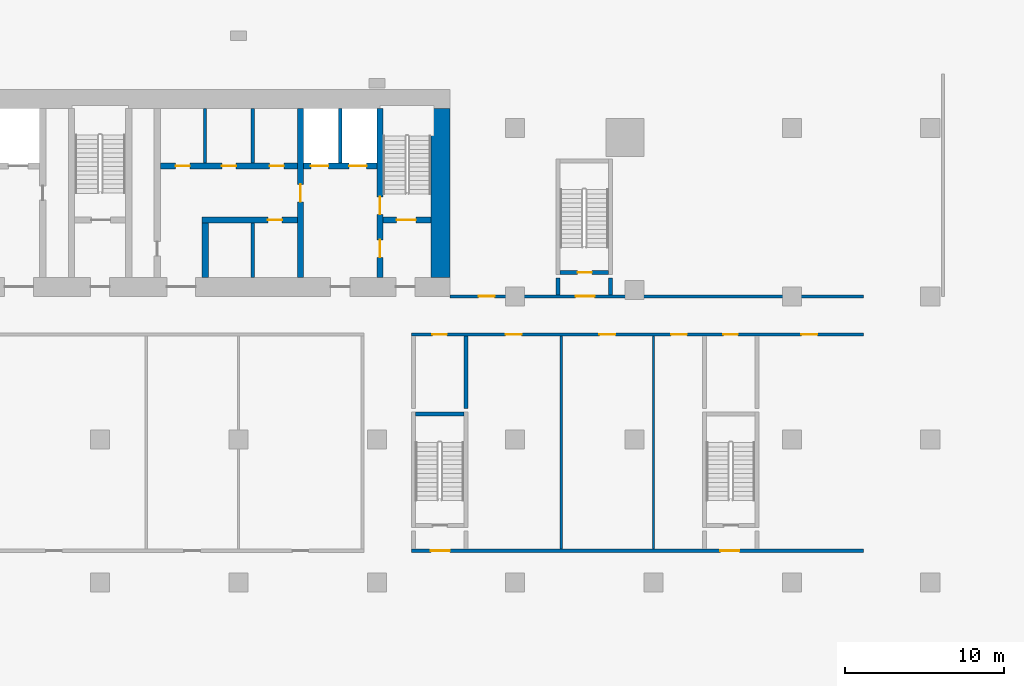
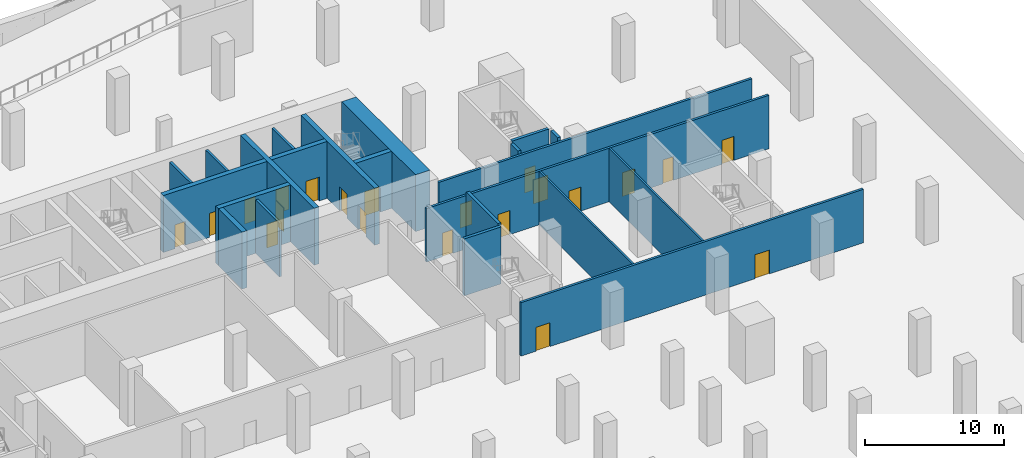
# One storey, part 4 of 8: 21 doors, 21 walls, 21 openings.
"""IFC4 building model written with IfcOpenShell, lengths in metres."""

from ifc_helpers import new_model, si_unit, direction, frame, frame_2d, origin, place, context, subcontext, project, spatial, rectangle, extrude, material, layer, layer_set, type_object, element, fill, save


model = new_model("IFC4")

# Units and contexts
model_context = context("Model", 3, precision=1e-05, world=origin(), true_north=direction((0.0, 1.0)))
body_context = subcontext(model_context, "Body", "Model", "MODEL_VIEW")
ifc_project = project(units=[si_unit("LENGTHUNIT", "METRE"), si_unit("AREAUNIT", "SQUARE_METRE"), si_unit("VOLUMEUNIT", "CUBIC_METRE"), si_unit("PLANEANGLEUNIT", "RADIAN"), si_unit("MASSUNIT", "GRAM", prefix="KILO")], contexts=[model_context])

# Site, building, storey
site_placement = place(None, origin())
site = spatial("IfcSite", under=ifc_project, at=site_placement, CompositionType="ELEMENT")
building_placement = place(site_placement, origin())
building = spatial("IfcBuilding", under=site, at=building_placement, Name="Bicima Exchange Tower", CompositionType="ELEMENT")
storey_placement = place(building_placement, frame((0.0, 0.0, -10.0)))
storey = spatial("IfcBuildingStorey", under=building, at=storey_placement, Name="B2", CompositionType="ELEMENT", Elevation=-10.0)

# Walls
ifc_material_1 = material(Name="Gypsum board partition")
ifc_layer_1 = layer(ifc_material_1, 0.199951171875)
ifc_layer_set_1 = layer_set([ifc_layer_1], Name="Gypsum board partition")
wall_type_1 = type_object("IfcWallType", Name="Fire-rated gypsum partition 200 EI120", PredefinedType="PARTITIONING", material=ifc_layer_set_1)
for number, where, z_axis, x_axis, name in (
    (1, (9.60009765625, -11.800048828125, 0.0), (0.0, 0.0, 1.0), (0.0, 1.0, 0.0), "partition wall 21"),
    (2, (15.10009765625, -4.60009765625, 0.0), (0.0, 0.0, 1.0), (0.0, 1.0, 0.0), "partition wall 24"),
):
    element("IfcWall", number, at=place(storey_placement, frame(where, z_axis=z_axis, x_axis=x_axis)), inside=storey, type_object=wall_type_1, Name=name, PredefinedType="PARTITIONING", context=body_context, shape_type="SweptSolid", body=[
        extrude(rectangle(XDim=3.400146484375, YDim=0.199951171875, at=frame_2d((1.7001953125, 0.0))), origin(), (0.0, 0.0, 1.0), 4.699951171875),
    ])

# Wall, openings, doors
ifc_layer_2 = layer(ifc_material_1, 0.199951171875)
ifc_layer_set_2 = layer_set([ifc_layer_2], Name="Gypsum board partition")
wall_type_2 = type_object("IfcWallType", Name="Fire-rated gypsum partition 200 EI60", PredefinedType="PARTITIONING", material=ifc_layer_set_2)
wall_1_placement = place(storey_placement, frame((19.574951171875, -29.0, 0.0), z_axis=(0.0, 0.0, 1.0), x_axis=(1.0, 0.0, 0.0)))
wall_1 = element("IfcWall", 3, at=wall_1_placement, inside=storey, type_object=wall_type_2, Name="partition wall 3", PredefinedType="PARTITIONING", context=body_context, shape_type="SweptSolid", body=[
    extrude(rectangle(XDim=28.425048828125, YDim=0.199951171875, at=frame_2d((14.21240234375, 0.0))), origin(), (0.0, 0.0, 1.0), 4.699951171875),
])
opening_1_placement = place(wall_1_placement, frame((1.22509765625, 0.0, 0.0)))
opening_1 = element("IfcOpeningElement", 4, at=opening_1_placement, cuts=wall_1, Name="Opening B2-005", PredefinedType="OPENING", context=body_context, shape_type="SweptSolid", body=[
    extrude(rectangle(XDim=1.199951171875, YDim=2.10009765625, at=frame_2d((0.60009765625, 1.050048828125))), frame((0.0, 0.11181640625, 0.0), z_axis=(0.0, -1.0, 0.0), x_axis=(1.0, 0.0, 0.0)), (0.0, 0.0, 1.0), 0.223876953125),
])
opening_2_placement = place(wall_1_placement, frame((19.425048828125, 0.0, 0.0)))
opening_2 = element("IfcOpeningElement", 5, at=opening_2_placement, cuts=wall_1, Name="Opening B2-007", PredefinedType="OPENING", context=body_context, shape_type="SweptSolid", body=[
    extrude(rectangle(XDim=1.199951171875, YDim=2.10009765625, at=frame_2d((0.60009765625, 1.050048828125))), frame((0.0, 0.11181640625, 0.0), z_axis=(0.0, -1.0, 0.0), x_axis=(1.0, 0.0, 0.0)), (0.0, 0.0, 1.0), 0.223876953125),
])
ifc_material_2 = material(Name="Steel fire door leaf", Category="steel")
door_type_1 = type_object("IfcDoorType", Name="Door 1200 swing FD30S", OperationType="SINGLE_SWING_LEFT", PredefinedType="DOOR", material=ifc_material_2)
door_1_placement = place(opening_1_placement, origin())
door_1 = element("IfcDoor", 6, at=door_1_placement, inside=storey, type_object=door_type_1, Name="Door", OperationType="SINGLE_SWING_LEFT", OverallHeight=2.10009765625, OverallWidth=1.199951171875, PredefinedType="DOOR", context=body_context, shape_type="SweptSolid", body=[
    extrude(rectangle(XDim=1.199951171875, YDim=2.10009765625, at=frame_2d((0.60009765625, 1.050048828125))), frame((0.0, 0.02490234375, 0.0), z_axis=(0.0, -1.0, 0.0), x_axis=(1.0, 0.0, 0.0)), (0.0, 0.0, 1.0), 0.050048828125),
])
fill(opening_1, door_1)
door_2_placement = place(opening_2_placement, origin())
door_2 = element("IfcDoor", 7, at=door_2_placement, inside=storey, type_object=door_type_1, Name="Door", OperationType="SINGLE_SWING_LEFT", OverallHeight=2.10009765625, OverallWidth=1.199951171875, PredefinedType="DOOR", context=body_context, shape_type="SweptSolid", body=[
    extrude(rectangle(XDim=1.199951171875, YDim=2.10009765625, at=frame_2d((0.60009765625, 1.050048828125))), frame((0.0, 0.02490234375, 0.0), z_axis=(0.0, -1.0, 0.0), x_axis=(1.0, 0.0, 0.0)), (0.0, 0.0, 1.0), 0.050048828125),
])
fill(opening_2, door_2)

wall_2_placement = place(storey_placement, frame((19.574951171875, -15.39990234375, 0.0), z_axis=(0.0, 0.0, 1.0), x_axis=(1.0, 0.0, 0.0)))
wall_2 = element("IfcWall", 8, at=wall_2_placement, inside=storey, type_object=wall_type_2, Name="partition wall 14", PredefinedType="PARTITIONING", context=body_context, shape_type="SweptSolid", body=[
    extrude(rectangle(XDim=28.425048828125, YDim=0.199951171875, at=frame_2d((14.21240234375, 0.0))), origin(), (0.0, 0.0, 1.0), 4.699951171875),
])
opening_3_placement = place(wall_2_placement, frame((1.324951171875, 0.0, 0.0)))
opening_3 = element("IfcOpeningElement", 9, at=opening_3_placement, cuts=wall_2, Name="Opening B2-024", PredefinedType="OPENING", context=body_context, shape_type="SweptSolid", body=[
    extrude(rectangle(XDim=0.89990234375, YDim=2.10009765625, at=frame_2d((0.449951171875, 1.050048828125))), frame((0.0, 0.11181640625, 0.0), z_axis=(0.0, -1.0, 0.0), x_axis=(1.0, 0.0, 0.0)), (0.0, 0.0, 1.0), 0.223876953125),
])
opening_4_placement = place(wall_2_placement, frame((5.925048828125, 0.0, 0.0)))
opening_4 = element("IfcOpeningElement", 10, at=opening_4_placement, cuts=wall_2, Name="Opening B2-025", PredefinedType="OPENING", context=body_context, shape_type="SweptSolid", body=[
    extrude(rectangle(XDim=1.0, YDim=2.10009765625, at=frame_2d((0.5, 1.050048828125))), frame((0.0, 0.11181640625, 0.0), z_axis=(0.0, -1.0, 0.0), x_axis=(1.0, 0.0, 0.0)), (0.0, 0.0, 1.0), 0.223876953125),
])
opening_5_placement = place(wall_2_placement, frame((11.824951171875, 0.0, 0.0)))
opening_5 = element("IfcOpeningElement", 11, at=opening_5_placement, cuts=wall_2, Name="Opening B2-026", PredefinedType="OPENING", context=body_context, shape_type="SweptSolid", body=[
    extrude(rectangle(XDim=1.0, YDim=2.10009765625, at=frame_2d((0.5, 1.050048828125))), frame((0.0, 0.11181640625, 0.0), z_axis=(0.0, -1.0, 0.0), x_axis=(1.0, 0.0, 0.0)), (0.0, 0.0, 1.0), 0.223876953125),
])
opening_6_placement = place(wall_2_placement, frame((16.324951171875, 0.0, 0.0)))
opening_6 = element("IfcOpeningElement", 12, at=opening_6_placement, cuts=wall_2, Name="Opening B2-027", PredefinedType="OPENING", context=body_context, shape_type="SweptSolid", body=[
    extrude(rectangle(XDim=1.0, YDim=2.10009765625, at=frame_2d((0.5, 1.050048828125))), frame((0.0, 0.11181640625, 0.0), z_axis=(0.0, -1.0, 0.0), x_axis=(1.0, 0.0, 0.0)), (0.0, 0.0, 1.0), 0.223876953125),
])
opening_7_placement = place(wall_2_placement, frame((19.625, 0.0, 0.0)))
opening_7 = element("IfcOpeningElement", 13, at=opening_7_placement, cuts=wall_2, Name="Opening B2-028", PredefinedType="OPENING", context=body_context, shape_type="SweptSolid", body=[
    extrude(rectangle(XDim=0.89990234375, YDim=2.10009765625, at=frame_2d((0.449951171875, 1.050048828125))), frame((0.0, 0.11181640625, 0.0), z_axis=(0.0, -1.0, 0.0), x_axis=(1.0, 0.0, 0.0)), (0.0, 0.0, 1.0), 0.223876953125),
])
opening_8_placement = place(wall_2_placement, frame((24.52490234375, 0.0, 0.0)))
opening_8 = element("IfcOpeningElement", 14, at=opening_8_placement, cuts=wall_2, Name="Opening B2-029", PredefinedType="OPENING", context=body_context, shape_type="SweptSolid", body=[
    extrude(rectangle(XDim=1.0, YDim=2.10009765625, at=frame_2d((0.5, 1.050048828125))), frame((0.0, 0.11181640625, 0.0), z_axis=(0.0, -1.0, 0.0), x_axis=(1.0, 0.0, 0.0)), (0.0, 0.0, 1.0), 0.223876953125),
])
door_type_2 = type_object("IfcDoorType", Name="Door 1000 swing FD30S", OperationType="SINGLE_SWING_LEFT", PredefinedType="DOOR", material=ifc_material_2)
door_3_placement = place(opening_4_placement, frame((1.0, 0.0, 0.0), z_axis=(0.0, 0.0, 1.0), x_axis=(-1.0, 0.0, 0.0)))
door_3 = element("IfcDoor", 15, at=door_3_placement, inside=storey, type_object=door_type_2, Name="Door", OperationType="SINGLE_SWING_LEFT", OverallHeight=2.10009765625, OverallWidth=1.0, PredefinedType="DOOR", context=body_context, shape_type="SweptSolid", body=[
    extrude(rectangle(XDim=1.0, YDim=2.10009765625, at=frame_2d((0.5, 1.050048828125))), frame((0.0, 0.02490234375, 0.0), z_axis=(0.0, -1.0, 0.0), x_axis=(1.0, 0.0, 0.0)), (0.0, 0.0, 1.0), 0.050048828125),
])
fill(opening_4, door_3)
door_4_placement = place(opening_5_placement, frame((1.0, 0.0, 0.0), z_axis=(0.0, 0.0, 1.0), x_axis=(-1.0, 0.0, 0.0)))
door_4 = element("IfcDoor", 16, at=door_4_placement, inside=storey, type_object=door_type_2, Name="Door", OperationType="SINGLE_SWING_RIGHT", OverallHeight=2.10009765625, OverallWidth=1.0, PredefinedType="DOOR", context=body_context, shape_type="SweptSolid", body=[
    extrude(rectangle(XDim=1.0, YDim=2.10009765625, at=frame_2d((0.5, 1.050048828125))), frame((0.0, 0.02490234375, 0.0), z_axis=(0.0, -1.0, 0.0), x_axis=(1.0, 0.0, 0.0)), (0.0, 0.0, 1.0), 0.050048828125),
])
fill(opening_5, door_4)
door_5_placement = place(opening_6_placement, frame((1.0, 0.0, 0.0), z_axis=(0.0, 0.0, 1.0), x_axis=(-1.0, 0.0, 0.0)))
door_5 = element("IfcDoor", 17, at=door_5_placement, inside=storey, type_object=door_type_2, Name="Door", OperationType="SINGLE_SWING_RIGHT", OverallHeight=2.10009765625, OverallWidth=1.0, PredefinedType="DOOR", context=body_context, shape_type="SweptSolid", body=[
    extrude(rectangle(XDim=1.0, YDim=2.10009765625, at=frame_2d((0.5, 1.050048828125))), frame((0.0, 0.02490234375, 0.0), z_axis=(0.0, -1.0, 0.0), x_axis=(1.0, 0.0, 0.0)), (0.0, 0.0, 1.0), 0.050048828125),
])
fill(opening_6, door_5)
door_6_placement = place(opening_8_placement, frame((1.0, 0.0, 0.0), z_axis=(0.0, 0.0, 1.0), x_axis=(-1.0, 0.0, 0.0)))
door_6 = element("IfcDoor", 18, at=door_6_placement, inside=storey, type_object=door_type_2, Name="Door", OperationType="SINGLE_SWING_RIGHT", OverallHeight=2.10009765625, OverallWidth=1.0, PredefinedType="DOOR", context=body_context, shape_type="SweptSolid", body=[
    extrude(rectangle(XDim=1.0, YDim=2.10009765625, at=frame_2d((0.5, 1.050048828125))), frame((0.0, 0.02490234375, 0.0), z_axis=(0.0, -1.0, 0.0), x_axis=(1.0, 0.0, 0.0)), (0.0, 0.0, 1.0), 0.050048828125),
])
fill(opening_8, door_6)
door_type_3 = type_object("IfcDoorType", Name="Door 900 swing FD30S", OperationType="SINGLE_SWING_LEFT", PredefinedType="DOOR", material=ifc_material_2)
door_7_placement = place(opening_3_placement, frame((0.89990234375, 0.0, 0.0), z_axis=(0.0, 0.0, 1.0), x_axis=(-1.0, 0.0, 0.0)))
door_7 = element("IfcDoor", 19, at=door_7_placement, inside=storey, type_object=door_type_3, Name="Door", OperationType="SINGLE_SWING_RIGHT", OverallHeight=2.10009765625, OverallWidth=0.89990234375, PredefinedType="DOOR", context=body_context, shape_type="SweptSolid", body=[
    extrude(rectangle(XDim=0.89990234375, YDim=2.10009765625, at=frame_2d((0.449951171875, 1.050048828125))), frame((0.0, 0.02490234375, 0.0), z_axis=(0.0, -1.0, 0.0), x_axis=(1.0, 0.0, 0.0)), (0.0, 0.0, 1.0), 0.050048828125),
])
fill(opening_3, door_7)
door_8_placement = place(opening_7_placement, frame((0.89990234375, 0.0, 0.0), z_axis=(0.0, 0.0, 1.0), x_axis=(-1.0, 0.0, 0.0)))
door_8 = element("IfcDoor", 20, at=door_8_placement, inside=storey, type_object=door_type_3, Name="Door", OperationType="SINGLE_SWING_LEFT", OverallHeight=2.10009765625, OverallWidth=0.89990234375, PredefinedType="DOOR", context=body_context, shape_type="SweptSolid", body=[
    extrude(rectangle(XDim=0.89990234375, YDim=2.10009765625, at=frame_2d((0.449951171875, 1.050048828125))), frame((0.0, 0.02490234375, 0.0), z_axis=(0.0, -1.0, 0.0), x_axis=(1.0, 0.0, 0.0)), (0.0, 0.0, 1.0), 0.050048828125),
])
fill(opening_7, door_8)

wall_3_placement = place(storey_placement, frame((22.0, -13.0, 0.0), z_axis=(0.0, 0.0, 1.0), x_axis=(1.0, 0.0, 0.0)))
wall_3 = element("IfcWall", 21, at=wall_3_placement, inside=storey, type_object=wall_type_2, Name="partition wall 16", PredefinedType="PARTITIONING", context=body_context, shape_type="SweptSolid", body=[
    extrude(rectangle(XDim=26.0, YDim=0.199951171875, at=frame_2d((13.0, 0.0))), origin(), (0.0, 0.0, 1.0), 4.699951171875),
])
opening_9_placement = place(wall_3_placement, frame((7.89990234375, 0.0, 0.0)))
opening_9 = element("IfcOpeningElement", 22, at=opening_9_placement, cuts=wall_3, Name="Opening B2-011", PredefinedType="OPENING", context=body_context, shape_type="SweptSolid", body=[
    extrude(rectangle(XDim=1.199951171875, YDim=2.10009765625, at=frame_2d((0.60009765625, 1.050048828125))), frame((0.0, 0.11181640625, 0.0), z_axis=(0.0, -1.0, 0.0), x_axis=(1.0, 0.0, 0.0)), (0.0, 0.0, 1.0), 0.223876953125),
])
opening_10_placement = place(wall_3_placement, frame((1.800048828125, 0.0, 0.0)))
opening_10 = element("IfcOpeningElement", 23, at=opening_10_placement, cuts=wall_3, Name="Opening B2-014", PredefinedType="OPENING", context=body_context, shape_type="SweptSolid", body=[
    extrude(rectangle(XDim=1.0, YDim=2.10009765625, at=frame_2d((0.5, 1.050048828125))), frame((0.0, 0.11181640625, 0.0), z_axis=(0.0, -1.0, 0.0), x_axis=(1.0, 0.0, 0.0)), (0.0, 0.0, 1.0), 0.223876953125),
])
door_9_placement = place(opening_10_placement, origin())
door_9 = element("IfcDoor", 24, at=door_9_placement, inside=storey, type_object=door_type_2, Name="Door", OperationType="SINGLE_SWING_LEFT", OverallHeight=2.10009765625, OverallWidth=1.0, PredefinedType="DOOR", context=body_context, shape_type="SweptSolid", body=[
    extrude(rectangle(XDim=1.0, YDim=2.10009765625, at=frame_2d((0.5, 1.050048828125))), frame((0.0, 0.02490234375, 0.0), z_axis=(0.0, -1.0, 0.0), x_axis=(1.0, 0.0, 0.0)), (0.0, 0.0, 1.0), 0.050048828125),
])
fill(opening_10, door_9)
door_10_placement = place(opening_9_placement, origin())
door_10 = element("IfcDoor", 25, at=door_10_placement, inside=storey, type_object=door_type_1, Name="Door", OperationType="SINGLE_SWING_LEFT", OverallHeight=2.10009765625, OverallWidth=1.199951171875, PredefinedType="DOOR", context=body_context, shape_type="SweptSolid", body=[
    extrude(rectangle(XDim=1.199951171875, YDim=2.10009765625, at=frame_2d((0.60009765625, 1.050048828125))), frame((0.0, 0.02490234375, 0.0), z_axis=(0.0, -1.0, 0.0), x_axis=(1.0, 0.0, 0.0)), (0.0, 0.0, 1.0), 0.050048828125),
])
fill(opening_9, door_10)

# Walls
for number, where, z_axis, x_axis, name in (
    (26, (6.60009765625, -4.60009765625, 0.0), (0.0, 0.0, 1.0), (0.0, 1.0, 0.0), "partition wall 20"),
    (27, (9.60009765625, -4.60009765625, 0.0), (0.0, 0.0, 1.0), (0.0, 1.0, 0.0), "partition wall 22"),
):
    element("IfcWall", number, at=place(storey_placement, frame(where, z_axis=z_axis, x_axis=x_axis)), inside=storey, type_object=wall_type_2, Name=name, PredefinedType="PARTITIONING", context=body_context, shape_type="SweptSolid", body=[
        extrude(rectangle(XDim=3.400146484375, YDim=0.199951171875, at=frame_2d((1.7001953125, 0.0))), origin(), (0.0, 0.0, 1.0), 4.699951171875),
    ])
ifc_layer_3 = layer(ifc_material_1, 0.14990234375)
ifc_layer_set_3 = layer_set([ifc_layer_3], Name="Gypsum board partition")
wall_type_3 = type_object("IfcWallType", Name="Gypsum partition 150", PredefinedType="PARTITIONING", material=ifc_layer_set_3)
for number, where, z_axis, x_axis, name in (
    (28, (29.0, -28.89990234375, 0.0), (0.0, 0.0, 1.0), (0.0, 1.0, 0.0), "partition wall 39"),
    (29, (34.800048828125, -28.89990234375, 0.0), (0.0, 0.0, 1.0), (0.0, 1.0, 0.0), "partition wall 41"),
):
    element("IfcWall", number, at=place(storey_placement, frame(where, z_axis=z_axis, x_axis=x_axis)), inside=storey, type_object=wall_type_3, Name=name, PredefinedType="PARTITIONING", context=body_context, shape_type="SweptSolid", body=[
        extrude(rectangle(XDim=13.39990234375, YDim=0.14990234375, at=frame_2d((6.699951171875, 0.0))), origin(), (0.0, 0.0, 1.0), 4.699951171875),
    ])
ifc_material_3 = material(Name="Concrete C60/75", Category="concrete")
ifc_layer_4 = layer(ifc_material_3, 1.199951171875)
ifc_layer_set_4 = layer_set([ifc_layer_4], Name="Concrete C60/75")
wall_type_4 = type_object("IfcWallType", Name="RC core wall 1200 C60/75", PredefinedType="SHEAR", material=ifc_layer_set_4)
wall_4_placement = place(storey_placement, frame((21.39990234375, -11.800048828125, 0.0), z_axis=(0.0, 0.0, 1.0), x_axis=(0.0, 1.0, 0.0)))
element("IfcWall", 30, at=wall_4_placement, inside=storey, type_object=wall_type_4, Name="Core wall east", PredefinedType="SHEAR", context=body_context, shape_type="SweptSolid", body=[
    extrude(rectangle(XDim=10.60009765625, YDim=1.199951171875, at=frame_2d((5.300048828125, 0.0))), origin(), (0.0, 0.0, 1.0), 5.0),
])
ifc_material_4 = material(Name="Concrete C50/60", Category="concrete")
ifc_layer_5 = layer(ifc_material_4, 0.25)
ifc_layer_set_5 = layer_set([ifc_layer_5], Name="Concrete C50/60")
wall_type_5 = type_object("IfcWallType", Name="RC core wall 250 C50/60", PredefinedType="SHEAR", material=ifc_layer_set_5)
wall_5_placement = place(storey_placement, frame((23.0, -20.050048828125, 0.0), z_axis=(0.0, 0.0, 1.0), x_axis=(0.0, 1.0, 0.0)))
element("IfcWall", 31, at=wall_5_placement, inside=storey, type_object=wall_type_5, Name="stair wall 37", PredefinedType="SHEAR", context=body_context, shape_type="SweptSolid", body=[
    extrude(rectangle(XDim=4.550048828125, YDim=0.25, at=frame_2d((2.27490234375, 0.0))), origin(), (0.0, 0.0, 1.0), 5.0),
])
for number, where, z_axis, x_axis, name in (
    (32, (28.800048828125, -12.89990234375, 0.0), (0.0, 0.0, 1.0), (0.0, 1.0, 0.0), "stair wall 38"),
    (33, (32.10009765625, -12.89990234375, 0.0), (0.0, 0.0, 1.0), (0.0, 1.0, 0.0), "stair wall 40"),
):
    element("IfcWall", number, at=place(storey_placement, frame(where, z_axis=z_axis, x_axis=x_axis)), inside=storey, type_object=wall_type_5, Name=name, PredefinedType="SHEAR", context=body_context, shape_type="SweptSolid", body=[
        extrude(rectangle(XDim=1.0498046875, YDim=0.25, at=frame_2d((0.52490234375, 0.0))), origin(), (0.0, 0.0, 1.0), 5.0),
    ])

# Wall, opening, door
ifc_layer_6 = layer(ifc_material_4, 0.39990234375)
ifc_layer_set_6 = layer_set([ifc_layer_6], Name="Concrete C50/60")
wall_type_6 = type_object("IfcWallType", Name="RC core wall 400 C50/60", PredefinedType="SHEAR", material=ifc_layer_set_6)
wall_6_placement = place(storey_placement, frame((17.800048828125, -8.199951171875, 0.0), z_axis=(0.0, 0.0, 1.0), x_axis=(1.0, 0.0, 0.0)))
wall_6 = element("IfcWall", 34, at=wall_6_placement, inside=storey, type_object=wall_type_6, Name="stair wall 5", PredefinedType="SHEAR", context=body_context, shape_type="SweptSolid", body=[
    extrude(rectangle(XDim=3.0, YDim=0.39990234375, at=frame_2d((1.5, 0.0))), origin(), (0.0, 0.0, 1.0), 5.0),
])
opening_11_placement = place(wall_6_placement, frame((0.85009765625, 0.0, 0.0)))
opening_11 = element("IfcOpeningElement", 35, at=opening_11_placement, cuts=wall_6, Name="Opening B2-C04", PredefinedType="OPENING", context=body_context, shape_type="SweptSolid", body=[
    extrude(rectangle(XDim=1.199951171875, YDim=2.10009765625, at=frame_2d((0.60009765625, 1.050048828125))), frame((0.0, 0.2119140625, 0.0), z_axis=(0.0, -1.0, 0.0), x_axis=(1.0, 0.0, 0.0)), (0.0, 0.0, 1.0), 0.423828125),
])
door_type_4 = type_object("IfcDoorType", Name="Door 1200 swing FD60S", OperationType="SINGLE_SWING_LEFT", PredefinedType="DOOR", material=ifc_material_2)
door_11_placement = place(opening_11_placement, origin())
door_11 = element("IfcDoor", 36, at=door_11_placement, inside=storey, type_object=door_type_4, Name="Core door", OperationType="SINGLE_SWING_RIGHT", OverallHeight=2.10009765625, OverallWidth=1.199951171875, PredefinedType="DOOR", context=body_context, shape_type="SweptSolid", body=[
    extrude(rectangle(XDim=1.199951171875, YDim=2.10009765625, at=frame_2d((0.60009765625, 1.050048828125))), frame((0.0, 0.02490234375, 0.0), z_axis=(0.0, -1.0, 0.0), x_axis=(1.0, 0.0, 0.0)), (0.0, 0.0, 1.0), 0.050048828125),
])
fill(opening_11, door_11)

# Wall, openings, doors
wall_7_placement = place(storey_placement, frame((17.60009765625, -11.800048828125, 0.0), z_axis=(0.0, 0.0, 1.0), x_axis=(0.0, 1.0, 0.0)))
wall_7 = element("IfcWall", 37, at=wall_7_placement, inside=storey, type_object=wall_type_6, Name="stair wall 25", PredefinedType="SHEAR", context=body_context, shape_type="SweptSolid", body=[
    extrude(rectangle(XDim=10.60009765625, YDim=0.39990234375, at=frame_2d((5.300048828125, 0.0))), origin(), (0.0, 0.0, 1.0), 5.0),
])
opening_12_placement = place(wall_7_placement, frame((1.25, 0.0, 0.0)))
opening_12 = element("IfcOpeningElement", 38, at=opening_12_placement, cuts=wall_7, Name="Opening B2-C05", PredefinedType="OPENING", context=body_context, shape_type="SweptSolid", body=[
    extrude(rectangle(XDim=1.10009765625, YDim=2.10009765625, at=frame_2d((0.550048828125, 1.050048828125))), frame((0.0, 0.2119140625, 0.0), z_axis=(0.0, -1.0, 0.0), x_axis=(1.0, 0.0, 0.0)), (0.0, 0.0, 1.0), 0.423828125),
])
opening_13_placement = place(wall_7_placement, frame((3.949951171875, 0.0, 0.0)))
opening_13 = element("IfcOpeningElement", 39, at=opening_13_placement, cuts=wall_7, Name="Opening B2-C08", PredefinedType="OPENING", context=body_context, shape_type="SweptSolid", body=[
    extrude(rectangle(XDim=1.10009765625, YDim=2.10009765625, at=frame_2d((0.550048828125, 1.050048828125))), frame((0.0, 0.2119140625, 0.0), z_axis=(0.0, -1.0, 0.0), x_axis=(1.0, 0.0, 0.0)), (0.0, 0.0, 1.0), 0.423828125),
])
door_type_5 = type_object("IfcDoorType", Name="Door 1100 swing FD60S", OperationType="SINGLE_SWING_LEFT", PredefinedType="DOOR", material=ifc_material_2)
door_12_placement = place(opening_12_placement, origin())
door_12 = element("IfcDoor", 40, at=door_12_placement, inside=storey, type_object=door_type_5, Name="Core door", OperationType="SINGLE_SWING_LEFT", OverallHeight=2.10009765625, OverallWidth=1.10009765625, PredefinedType="DOOR", context=body_context, shape_type="SweptSolid", body=[
    extrude(rectangle(XDim=1.10009765625, YDim=2.10009765625, at=frame_2d((0.550048828125, 1.050048828125))), frame((0.0, 0.02490234375, 0.0), z_axis=(0.0, -1.0, 0.0), x_axis=(1.0, 0.0, 0.0)), (0.0, 0.0, 1.0), 0.050048828125),
])
fill(opening_12, door_12)
door_13_placement = place(opening_13_placement, origin())
door_13 = element("IfcDoor", 41, at=door_13_placement, inside=storey, type_object=door_type_5, Name="Core door", OperationType="SINGLE_SWING_RIGHT", OverallHeight=2.10009765625, OverallWidth=1.10009765625, PredefinedType="DOOR", context=body_context, shape_type="SweptSolid", body=[
    extrude(rectangle(XDim=1.10009765625, YDim=2.10009765625, at=frame_2d((0.550048828125, 1.050048828125))), frame((0.0, 0.02490234375, 0.0), z_axis=(0.0, -1.0, 0.0), x_axis=(1.0, 0.0, 0.0)), (0.0, 0.0, 1.0), 0.050048828125),
])
fill(opening_13, door_13)

# Wall, opening, door
ifc_layer_7 = layer(ifc_material_3, 0.39990234375)
ifc_layer_set_7 = layer_set([ifc_layer_7], Name="Concrete C60/75")
wall_type_7 = type_object("IfcWallType", Name="RC core wall 400 C60/75", PredefinedType="SHEAR", material=ifc_layer_set_7)
wall_8_placement = place(storey_placement, frame((6.39990234375, -8.199951171875, 0.0), z_axis=(0.0, 0.0, 1.0), x_axis=(1.0, 0.0, 0.0)))
wall_8 = element("IfcWall", 42, at=wall_8_placement, inside=storey, type_object=wall_type_7, Name="shear wall 4", PredefinedType="SHEAR", context=body_context, shape_type="SweptSolid", body=[
    extrude(rectangle(XDim=6.0, YDim=0.39990234375, at=frame_2d((3.0, 0.0))), origin(), (0.0, 0.0, 1.0), 5.0),
])
opening_14_placement = place(wall_8_placement, frame((4.14990234375, 0.0, 0.0)))
opening_14 = element("IfcOpeningElement", 43, at=opening_14_placement, cuts=wall_8, Name="Opening B2-C16", PredefinedType="OPENING", context=body_context, shape_type="SweptSolid", body=[
    extrude(rectangle(XDim=0.89990234375, YDim=2.10009765625, at=frame_2d((0.449951171875, 1.050048828125))), frame((0.0, 0.2119140625, 0.0), z_axis=(0.0, -1.0, 0.0), x_axis=(1.0, 0.0, 0.0)), (0.0, 0.0, 1.0), 0.423828125),
])
door_14_placement = place(opening_14_placement, frame((0.89990234375, 0.0, 0.0), z_axis=(0.0, 0.0, 1.0), x_axis=(-1.0, 0.0, 0.0)))
door_14 = element("IfcDoor", 44, at=door_14_placement, inside=storey, type_object=door_type_3, Name="Core door", OperationType="SINGLE_SWING_LEFT", OverallHeight=2.10009765625, OverallWidth=0.89990234375, PredefinedType="DOOR", context=body_context, shape_type="SweptSolid", body=[
    extrude(rectangle(XDim=0.89990234375, YDim=2.10009765625, at=frame_2d((0.449951171875, 1.050048828125))), frame((0.0, 0.02490234375, 0.0), z_axis=(0.0, -1.0, 0.0), x_axis=(1.0, 0.0, 0.0)), (0.0, 0.0, 1.0), 0.050048828125),
])
fill(opening_14, door_14)

# Wall, openings, doors
wall_9_placement = place(storey_placement, frame((3.800048828125, -4.800048828125, 0.0), z_axis=(0.0, 0.0, 1.0), x_axis=(1.0, 0.0, 0.0)))
wall_9 = element("IfcWall", 45, at=wall_9_placement, inside=storey, type_object=wall_type_7, Name="shear wall 7", PredefinedType="SHEAR", context=body_context, shape_type="SweptSolid", body=[
    extrude(rectangle(XDim=13.599853515625, YDim=0.39990234375, at=frame_2d((6.7998046875, 0.0))), origin(), (0.0, 0.0, 1.0), 5.0),
])
opening_15_placement = place(wall_9_placement, frame((9.449951171875, 0.0, 0.0)))
opening_15 = element("IfcOpeningElement", 46, at=opening_15_placement, cuts=wall_9, Name="Opening LD-FF2-B2", PredefinedType="OPENING", context=body_context, shape_type="SweptSolid", body=[
    extrude(rectangle(XDim=1.10009765625, YDim=2.10009765625, at=frame_2d((0.550048828125, 1.050048828125))), frame((0.0, 0.2119140625, 0.0), z_axis=(0.0, -1.0, 0.0), x_axis=(1.0, 0.0, 0.0)), (0.0, 0.0, 1.0), 0.423828125),
])
opening_16_placement = place(wall_9_placement, frame((11.85009765625, 0.0, 0.0)))
opening_16 = element("IfcOpeningElement", 47, at=opening_16_placement, cuts=wall_9, Name="Opening LD-SV1-B2", PredefinedType="OPENING", context=body_context, shape_type="SweptSolid", body=[
    extrude(rectangle(XDim=1.10009765625, YDim=2.10009765625, at=frame_2d((0.550048828125, 1.050048828125))), frame((0.0, 0.2119140625, 0.0), z_axis=(0.0, -1.0, 0.0), x_axis=(1.0, 0.0, 0.0)), (0.0, 0.0, 1.0), 0.423828125),
])
opening_17_placement = place(wall_9_placement, frame((0.949951171875, 0.0, 0.0)))
opening_17 = element("IfcOpeningElement", 48, at=opening_17_placement, cuts=wall_9, Name="Opening B2-C12", PredefinedType="OPENING", context=body_context, shape_type="SweptSolid", body=[
    extrude(rectangle(XDim=0.89990234375, YDim=2.10009765625, at=frame_2d((0.449951171875, 1.050048828125))), frame((0.0, 0.2119140625, 0.0), z_axis=(0.0, -1.0, 0.0), x_axis=(1.0, 0.0, 0.0)), (0.0, 0.0, 1.0), 0.423828125),
])
opening_18_placement = place(wall_9_placement, frame((3.85009765625, 0.0, 0.0)))
opening_18 = element("IfcOpeningElement", 49, at=opening_18_placement, cuts=wall_9, Name="Opening B2-C13", PredefinedType="OPENING", context=body_context, shape_type="SweptSolid", body=[
    extrude(rectangle(XDim=0.89990234375, YDim=2.10009765625, at=frame_2d((0.449951171875, 1.050048828125))), frame((0.0, 0.2119140625, 0.0), z_axis=(0.0, -1.0, 0.0), x_axis=(1.0, 0.0, 0.0)), (0.0, 0.0, 1.0), 0.423828125),
])
opening_19_placement = place(wall_9_placement, frame((6.85009765625, 0.0, 0.0)))
opening_19 = element("IfcOpeningElement", 50, at=opening_19_placement, cuts=wall_9, Name="Opening B2-C14", PredefinedType="OPENING", context=body_context, shape_type="SweptSolid", body=[
    extrude(rectangle(XDim=0.89990234375, YDim=2.10009765625, at=frame_2d((0.449951171875, 1.050048828125))), frame((0.0, 0.2119140625, 0.0), z_axis=(0.0, -1.0, 0.0), x_axis=(1.0, 0.0, 0.0)), (0.0, 0.0, 1.0), 0.423828125),
])
door_15_placement = place(opening_17_placement, origin())
door_15 = element("IfcDoor", 51, at=door_15_placement, inside=storey, type_object=door_type_3, Name="Core door", OperationType="SINGLE_SWING_RIGHT", OverallHeight=2.10009765625, OverallWidth=0.89990234375, PredefinedType="DOOR", context=body_context, shape_type="SweptSolid", body=[
    extrude(rectangle(XDim=0.89990234375, YDim=2.10009765625, at=frame_2d((0.449951171875, 1.050048828125))), frame((0.0, 0.02490234375, 0.0), z_axis=(0.0, -1.0, 0.0), x_axis=(1.0, 0.0, 0.0)), (0.0, 0.0, 1.0), 0.050048828125),
])
fill(opening_17, door_15)
door_16_placement = place(opening_18_placement, origin())
door_16 = element("IfcDoor", 52, at=door_16_placement, inside=storey, type_object=door_type_3, Name="Core door", OperationType="SINGLE_SWING_LEFT", OverallHeight=2.10009765625, OverallWidth=0.89990234375, PredefinedType="DOOR", context=body_context, shape_type="SweptSolid", body=[
    extrude(rectangle(XDim=0.89990234375, YDim=2.10009765625, at=frame_2d((0.449951171875, 1.050048828125))), frame((0.0, 0.02490234375, 0.0), z_axis=(0.0, -1.0, 0.0), x_axis=(1.0, 0.0, 0.0)), (0.0, 0.0, 1.0), 0.050048828125),
])
fill(opening_18, door_16)
door_17_placement = place(opening_19_placement, origin())
door_17 = element("IfcDoor", 53, at=door_17_placement, inside=storey, type_object=door_type_3, Name="Core door", OperationType="SINGLE_SWING_RIGHT", OverallHeight=2.10009765625, OverallWidth=0.89990234375, PredefinedType="DOOR", context=body_context, shape_type="SweptSolid", body=[
    extrude(rectangle(XDim=0.89990234375, YDim=2.10009765625, at=frame_2d((0.449951171875, 1.050048828125))), frame((0.0, 0.02490234375, 0.0), z_axis=(0.0, -1.0, 0.0), x_axis=(1.0, 0.0, 0.0)), (0.0, 0.0, 1.0), 0.050048828125),
])
fill(opening_19, door_17)
ifc_material_5 = material(Name="Stainless steel", Category="steel")
door_type_6 = type_object("IfcDoorType", Name="Lift landing door 1100 sliding", OperationType="DOUBLE_DOOR_SLIDING", PredefinedType="DOOR", material=ifc_material_5)
door_18_placement = place(opening_15_placement, origin())
door_18 = element("IfcDoor", 54, at=door_18_placement, inside=storey, type_object=door_type_6, Name="Lift landing door FF2", OperationType="DOUBLE_DOOR_SLIDING", OverallHeight=2.10009765625, OverallWidth=1.10009765625, PredefinedType="DOOR", context=body_context, shape_type="SweptSolid", body=[
    extrude(rectangle(XDim=1.10009765625, YDim=2.10009765625, at=frame_2d((0.550048828125, 1.050048828125))), frame((0.0, 0.02490234375, 0.0), z_axis=(0.0, -1.0, 0.0), x_axis=(1.0, 0.0, 0.0)), (0.0, 0.0, 1.0), 0.050048828125),
])
fill(opening_15, door_18)
door_19_placement = place(opening_16_placement, origin())
door_19 = element("IfcDoor", 55, at=door_19_placement, inside=storey, type_object=door_type_6, Name="Lift landing door SV1", OperationType="DOUBLE_DOOR_SLIDING", OverallHeight=2.10009765625, OverallWidth=1.10009765625, PredefinedType="DOOR", context=body_context, shape_type="SweptSolid", body=[
    extrude(rectangle(XDim=1.10009765625, YDim=2.10009765625, at=frame_2d((0.550048828125, 1.050048828125))), frame((0.0, 0.02490234375, 0.0), z_axis=(0.0, -1.0, 0.0), x_axis=(1.0, 0.0, 0.0)), (0.0, 0.0, 1.0), 0.050048828125),
])
fill(opening_16, door_19)

# Wall
wall_10_placement = place(storey_placement, frame((6.60009765625, -11.800048828125, 0.0), z_axis=(0.0, 0.0, 1.0), x_axis=(0.0, 1.0, 0.0)))
element("IfcWall", 56, at=wall_10_placement, inside=storey, type_object=wall_type_7, Name="shear wall 19", PredefinedType="SHEAR", context=body_context, shape_type="SweptSolid", body=[
    extrude(rectangle(XDim=3.400146484375, YDim=0.39990234375, at=frame_2d((1.7001953125, 0.0))), origin(), (0.0, 0.0, 1.0), 5.0),
])

# Wall, opening, door
wall_11_placement = place(storey_placement, frame((12.60009765625, -11.800048828125, 0.0), z_axis=(0.0, 0.0, 1.0), x_axis=(0.0, 1.0, 0.0)))
wall_11 = element("IfcWall", 57, at=wall_11_placement, inside=storey, type_object=wall_type_7, Name="shear wall 23", PredefinedType="SHEAR", context=body_context, shape_type="SweptSolid", body=[
    extrude(rectangle(XDim=10.60009765625, YDim=0.39990234375, at=frame_2d((5.300048828125, 0.0))), origin(), (0.0, 0.0, 1.0), 5.0),
])
opening_20_placement = place(wall_11_placement, frame((4.75, 0.0, 0.0)))
opening_20 = element("IfcOpeningElement", 58, at=opening_20_placement, cuts=wall_11, Name="Opening B2-C09", PredefinedType="OPENING", context=body_context, shape_type="SweptSolid", body=[
    extrude(rectangle(XDim=1.10009765625, YDim=2.10009765625, at=frame_2d((0.550048828125, 1.050048828125))), frame((0.0, 0.2119140625, 0.0), z_axis=(0.0, -1.0, 0.0), x_axis=(1.0, 0.0, 0.0)), (0.0, 0.0, 1.0), 0.423828125),
])
door_20_placement = place(opening_20_placement, frame((1.10009765625, 0.0, 0.0), z_axis=(0.0, 0.0, 1.0), x_axis=(-1.0, 0.0, 0.0)))
door_20 = element("IfcDoor", 59, at=door_20_placement, inside=storey, type_object=door_type_5, Name="Core door", OperationType="SINGLE_SWING_RIGHT", OverallHeight=2.10009765625, OverallWidth=1.10009765625, PredefinedType="DOOR", context=body_context, shape_type="SweptSolid", body=[
    extrude(rectangle(XDim=1.10009765625, YDim=2.10009765625, at=frame_2d((0.550048828125, 1.050048828125))), frame((0.0, 0.02490234375, 0.0), z_axis=(0.0, -1.0, 0.0), x_axis=(1.0, 0.0, 0.0)), (0.0, 0.0, 1.0), 0.050048828125),
])
fill(opening_20, door_20)

ifc_layer_8 = layer(ifc_material_4, 0.25)
ifc_layer_set_8 = layer_set([ifc_layer_8], Name="Concrete C50/60")
wall_type_8 = type_object("IfcWallType", Name="RC stair enclosure wall 250 C50/60", PredefinedType="SHEAR", material=ifc_layer_set_8)
wall_12_placement = place(storey_placement, frame((28.925048828125, -11.5, 0.0), z_axis=(0.0, 0.0, 1.0), x_axis=(1.0, 0.0, 0.0)))
wall_12 = element("IfcWall", 60, at=wall_12_placement, inside=storey, type_object=wall_type_8, Name="East end exit stair wall S", PredefinedType="SHEAR", context=body_context, shape_type="SweptSolid", body=[
    extrude(rectangle(XDim=3.050048828125, YDim=0.25, at=frame_2d((1.52490234375, 0.0))), origin(), (0.0, 0.0, 1.0), 5.0),
])
opening_21_placement = place(wall_12_placement, frame((1.10009765625, 0.0, 0.0)))
opening_21 = element("IfcOpeningElement", 61, at=opening_21_placement, cuts=wall_12, Name="Opening B2-012", PredefinedType="OPENING", context=body_context, shape_type="SweptSolid", body=[
    extrude(rectangle(XDim=0.89990234375, YDim=2.10009765625, at=frame_2d((0.449951171875, 1.050048828125))), frame((0.0, 0.136962890625, 0.0), z_axis=(0.0, -1.0, 0.0), x_axis=(1.0, 0.0, 0.0)), (0.0, 0.0, 1.0), 0.27392578125),
])
door_type_7 = type_object("IfcDoorType", Name="Door 900 swing FD60S", OperationType="SINGLE_SWING_LEFT", PredefinedType="DOOR", material=ifc_material_2)
door_21_placement = place(opening_21_placement, origin())
door_21 = element("IfcDoor", 62, at=door_21_placement, inside=storey, type_object=door_type_7, Name="Door", OperationType="SINGLE_SWING_RIGHT", OverallHeight=2.10009765625, OverallWidth=0.89990234375, PredefinedType="DOOR", context=body_context, shape_type="SweptSolid", body=[
    extrude(rectangle(XDim=0.89990234375, YDim=2.10009765625, at=frame_2d((0.449951171875, 1.050048828125))), frame((0.0, 0.02490234375, 0.0), z_axis=(0.0, -1.0, 0.0), x_axis=(1.0, 0.0, 0.0)), (0.0, 0.0, 1.0), 0.050048828125),
])
fill(opening_21, door_21)

# Wall
wall_13_placement = place(storey_placement, frame((19.824951171875, -20.39990234375, 0.0), z_axis=(0.0, 0.0, 1.0), x_axis=(1.0, 0.0, 0.0)))
element("IfcWall", 63, at=wall_13_placement, inside=storey, type_object=wall_type_8, Name="Podium inner east stair wall N", PredefinedType="SHEAR", context=body_context, shape_type="SweptSolid", body=[
    extrude(rectangle(XDim=3.050048828125, YDim=0.25, at=frame_2d((1.52490234375, 0.0))), origin(), (0.0, 0.0, 1.0), 5.0),
])

save(model, "model.ifc")
